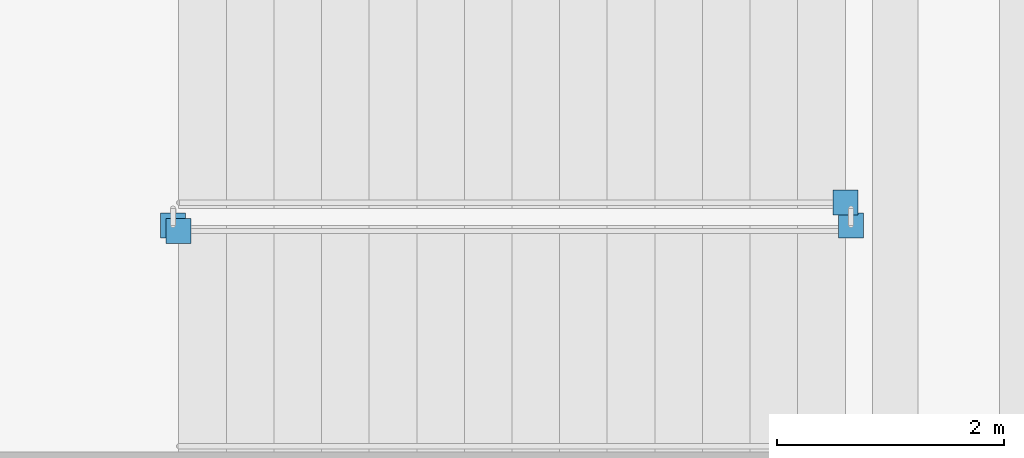
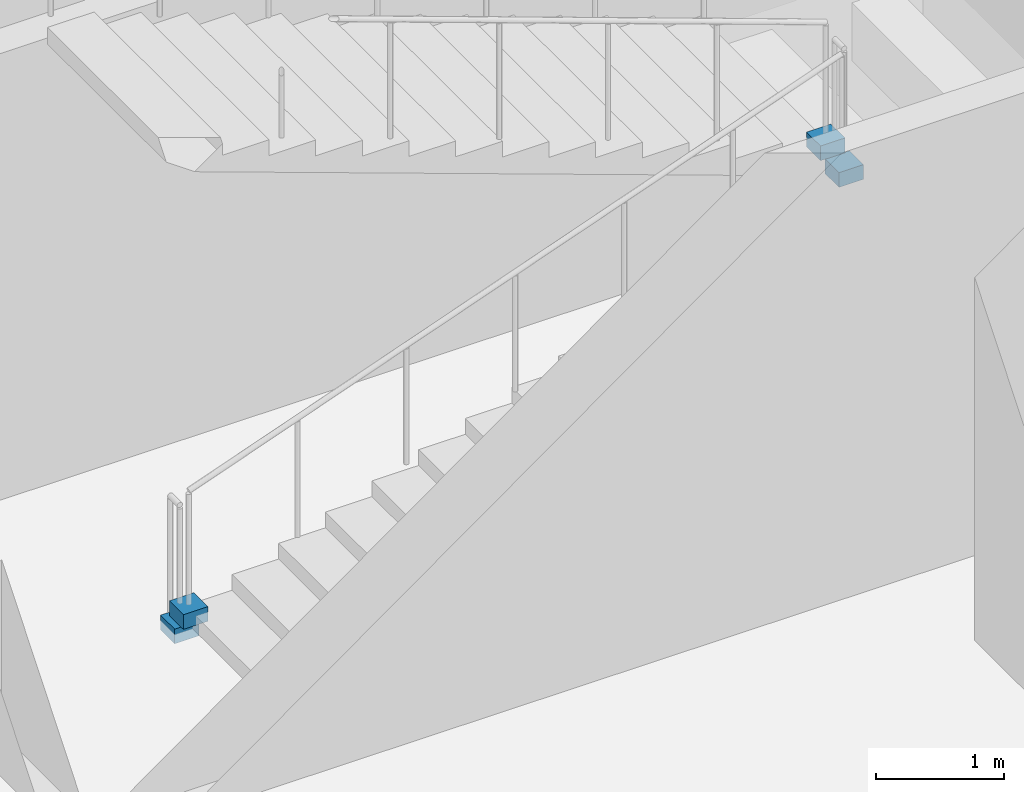
# One storey, part 65 of 76: 4 discrete accessories.
"""IFC4 building model written with IfcOpenShell, lengths in metres."""

import ifcopenshell
import ifcopenshell.guid

model = None  # the IFC model being written
_history = None  # IfcOwnerHistory: only IFC2X3 demands one
_inside = {}  # id of a spatial element -> (the spatial element, [elements in it])
_under = {}  # id of a project, library or spatial element -> (it, [spatial elements below it])
_declared = {}  # id of a project -> (the project, [libraries it declares])
_typed = {}  # id of a type object -> (the type object, [elements of that type])
_made_of = {}  # id of a material, layer set ... -> (it, [elements and type objects made of it])


def new_model(schema):
    """Start an empty IFC model of exactly this schema.

    Asked for "IFC4X3", IfcOpenShell would pick the latest addendum, in which some entities
    have other attributes; the version numbers below select the first issue.
    IFC2X3 requires an IfcOwnerHistory on every rooted entity: one is made here for all.
    """
    global model, _history
    if schema == "IFC4X3":
        model = ifcopenshell.file(schema_version=(4, 3, 0, 0))
    else:
        model = ifcopenshell.file(schema=schema)
    _inside.clear()
    _under.clear()
    _declared.clear()
    _typed.clear()
    _made_of.clear()
    _history = None
    if model.schema == "IFC2X3":
        org = make("IfcOrganization", Name="unknown")
        user = make(
            "IfcPersonAndOrganization",
            ThePerson=make("IfcPerson", FamilyName="unknown"),
            TheOrganization=org,
        )
        app = make(
            "IfcApplication",
            ApplicationDeveloper=org,
            Version="unknown",
            ApplicationFullName="unknown",
            ApplicationIdentifier="unknown",
        )
        _history = make(
            "IfcOwnerHistory",
            OwningUser=user,
            OwningApplication=app,
            ChangeAction="ADDED",
            CreationDate=0,
        )
    return model


def make(cls, **values):
    """One entity of the class cls with the attributes given. An attribute that is None is left unset."""
    return model.create_entity(
        cls, **{name: value for name, value in values.items() if value is not None}
    )


def rooted(cls, **values):
    """An entity with a GlobalId (a new one), such as an element, a storey or a relation."""
    return make(cls, GlobalId=ifcopenshell.guid.new(), OwnerHistory=_history, **values)


def si_unit(unit_type, name, prefix=None):
    """IfcSIUnit, for example si_unit("LENGTHUNIT", "METRE", prefix="MILLI")."""
    return make("IfcSIUnit", UnitType=unit_type, Prefix=prefix, Name=name)


def assignment(units):
    """IfcUnitAssignment: the units of a project."""
    return None if units is None else make("IfcUnitAssignment", Units=units)


def point(xyz):
    """IfcCartesianPoint."""
    return None if xyz is None else make("IfcCartesianPoint", Coordinates=xyz)


def direction(xyz):
    """IfcDirection."""
    return None if xyz is None else make("IfcDirection", DirectionRatios=xyz)


def frame(location, z_axis=None, x_axis=None):
    """IfcAxis2Placement3D, a coordinate frame: its origin and axes. An axis left out is left unset."""
    return make(
        "IfcAxis2Placement3D",
        Location=point(location),
        Axis=direction(z_axis),
        RefDirection=direction(x_axis),
    )


def frame_2d(location, x_axis=None):
    """IfcAxis2Placement2D, a coordinate frame in the plane: its origin and x axis."""
    return make(
        "IfcAxis2Placement2D", Location=point(location), RefDirection=direction(x_axis)
    )


def origin():
    """The frame at (0, 0, 0) with its axes left unset."""
    return frame((0.0, 0.0, 0.0))


def origin_2d():
    """The frame at (0, 0) in the plane with its x axis left unset."""
    return frame_2d((0.0, 0.0))


def place(relative_to, where):
    """IfcLocalPlacement: puts the frame where relative to a parent placement (None: the world)."""
    return make(
        "IfcLocalPlacement", PlacementRelTo=relative_to, RelativePlacement=where
    )


def context(
    kind, dimensions, precision=None, world=None, true_north=None, identifier=None
):
    """IfcGeometricRepresentationContext, for example the 3D "Model" context."""
    return make(
        "IfcGeometricRepresentationContext",
        ContextIdentifier=identifier,
        ContextType=kind,
        CoordinateSpaceDimension=dimensions,
        Precision=precision,
        WorldCoordinateSystem=world,
        TrueNorth=true_north,
    )


def subcontext(parent, identifier, kind, view, scale=None):
    """IfcGeometricRepresentationSubContext, for example "Body" below "Model"."""
    return make(
        "IfcGeometricRepresentationSubContext",
        ContextIdentifier=identifier,
        ContextType=kind,
        ParentContext=parent,
        TargetScale=scale,
        TargetView=view,
    )


def project(units=None, contexts=None):
    """IfcProject with its units and contexts."""
    return rooted(
        "IfcProject",
        Name="project",
        RepresentationContexts=contexts,
        UnitsInContext=assignment(units),
    )


def spatial(cls, under=None, at=None, **own):
    """A site, building, storey or space (cls), placed at a placement, below another one or the project."""
    s = rooted(cls, ObjectPlacement=at, **own)
    if under is not None:
        _under.setdefault(under.id(), (under, []))[1].append(s)
    return s


def profile(cls, at=None, kind="AREA", **sizes):
    """A parametric profile (cls). Its sizes go by their IFC names, for example OverallWidth=200.0."""
    return make(cls, ProfileType=kind, Position=at, **sizes)


def rectangle(**sizes):
    """IfcRectangleProfileDef."""
    return profile("IfcRectangleProfileDef", **sizes)


def extrude(swept, where, along, depth):
    """IfcExtrudedAreaSolid: the profile swept, set in the frame where, extruded along a direction by depth."""
    return make(
        "IfcExtrudedAreaSolid",
        SweptArea=swept,
        Position=where,
        ExtrudedDirection=direction(along),
        Depth=depth,
    )


def shape(context_of_items, identifier, shape_type, items):
    """IfcShapeRepresentation: the items that make up one representation, for example the "Body"."""
    return make(
        "IfcShapeRepresentation",
        ContextOfItems=context_of_items,
        RepresentationIdentifier=identifier,
        RepresentationType=shape_type,
        Items=items,
    )


def material(Name=None, Category=None):
    """IfcMaterial."""
    return make("IfcMaterial", Name=Name, Category=Category)


def made_of(thing, what):
    """Note that an element or type object is made of a material, layer set ...; save() writes the relation."""
    if what is not None:
        _made_of.setdefault(what.id(), (what, []))[1].append(thing)
    return thing


def type_object(cls, material=None, **own):
    """A type object (cls), such as IfcWallType, which elements share."""
    return made_of(rooted(cls, **own), material)


def element(
    cls,
    number,
    at=None,
    inside=None,
    cuts=None,
    type_object=None,
    material=None,
    context=None,
    identifier="Body",
    shape_type=None,
    held_by="IfcProductDefinitionShape",
    body=None,
    shapes=None,
    **own,
):
    """One element of the class cls, such as IfcWall. Its Tag is "e" and its number.

    at: its placement. inside: the storey or other place that contains it. cuts: it is an
    opening in that element (IfcRelVoidsElement). A single representation is given by context,
    identifier, shape_type and body (its items); several are given by shapes. held_by: the class
    of the entity that holds the representations. save() writes the other relations.
    """
    e = rooted(cls, Tag="e%d" % number, ObjectPlacement=at, **own)
    if body is not None:
        shapes = [shape(context, identifier, shape_type, body)]
    if shapes is not None:
        e.Representation = make(held_by, Representations=shapes)
    if inside is not None:
        _inside.setdefault(inside.id(), (inside, []))[1].append(e)
    if cuts is not None:
        rooted(
            "IfcRelVoidsElement", RelatingBuildingElement=cuts, RelatedOpeningElement=e
        )
    if type_object is not None:
        _typed.setdefault(type_object.id(), (type_object, []))[1].append(e)
    return made_of(e, material)


def aggregate(whole, parts):
    """IfcRelAggregates: a whole, such as a stair, and the parts it consists of."""
    return rooted("IfcRelAggregates", RelatingObject=whole, RelatedObjects=parts)


def save(model, path):
    """Write the relations noted so far, then the file.

    IfcRelAggregates (storeys below a building ...), IfcRelContainedInSpatialStructure (elements
    in a storey), IfcRelDefinesByType, IfcRelAssociatesMaterial and IfcRelDeclares: one each for
    every whole, place, type object, material and project.
    """
    for whole, parts in _under.values():
        aggregate(whole, parts)
    for where, things in _inside.values():
        rooted(
            "IfcRelContainedInSpatialStructure",
            RelatedElements=things,
            RelatingStructure=where,
        )
    for kind, things in _typed.values():
        rooted("IfcRelDefinesByType", RelatedObjects=things, RelatingType=kind)
    for what, things in _made_of.values():
        rooted("IfcRelAssociatesMaterial", RelatedObjects=things, RelatingMaterial=what)
    for by, libraries in _declared.values():
        rooted("IfcRelDeclares", RelatingContext=by, RelatedDefinitions=libraries)
    model.write(path)


model = new_model("IFC4")

# Units and contexts
model_context = context("Model", 3, precision=1e-05, world=origin(), true_north=direction((0.0, 1.0)))
body_context = subcontext(model_context, "Body", "Model", "MODEL_VIEW")
ifc_project = project(units=[si_unit("LENGTHUNIT", "METRE"), si_unit("AREAUNIT", "SQUARE_METRE"), si_unit("VOLUMEUNIT", "CUBIC_METRE"), si_unit("PLANEANGLEUNIT", "RADIAN"), si_unit("MASSUNIT", "GRAM", prefix="KILO")], contexts=[model_context])

# Site, building, storey
site_placement = place(None, origin())
site = spatial("IfcSite", under=ifc_project, at=site_placement, CompositionType="ELEMENT")
building_placement = place(site_placement, origin())
building = spatial("IfcBuilding", under=site, at=building_placement, Name="Varnakota Cinema and Media Centre", CompositionType="ELEMENT")
storey_placement = place(building_placement, origin())
storey = spatial("IfcBuildingStorey", under=building, at=storey_placement, Name="L00", CompositionType="ELEMENT", Elevation=0.0)

# Discrete accessories
ifc_material = material(Name="Structural steel Grade 350 (E350)", Category="steel")
discrete_accessory_type = type_object("IfcDiscreteAccessoryType", Name="ACC-BRACKET-SG", PredefinedType="BRACKET", material=ifc_material)
for number, where, z_axis, x_axis, name in (
    (1, (11.60009765625, 90.550048828125, 0.06005859375), (0.0, 0.0, 1.0), (1.0, 0.0, 0.0), "L00 stair guard base bracket ST-05-L00-G1"),
    (2, (17.530029296875, 90.60009765625, 2.16015625), (0.0, 0.0, 1.0), (1.0, 0.0, 0.0), "L00 stair guard base bracket ST-05-L00-G2"),
    (3, (17.47998046875, 90.800048828125, 2.31005859375), (0.0, 0.0, 1.0), (1.0, 0.0, 0.0), "L00 stair guard base bracket ST-05-L00-G3"),
    (4, (11.550048828125, 90.60009765625, -0.08984375), (0.0, 0.0, 1.0), (1.0, 0.0, 0.0), "L00 stair guard base bracket ST-05-L00-G4"),
):
    element("IfcDiscreteAccessory", number, at=place(storey_placement, frame(where, z_axis=z_axis, x_axis=x_axis)), inside=storey, type_object=discrete_accessory_type, Name=name, PredefinedType="BRACKET", context=body_context, shape_type="SweptSolid", body=[
        extrude(rectangle(XDim=0.219970703125, YDim=0.219970703125, at=origin_2d()), origin(), (0.0, 0.0, 1.0), 0.139892578125),
    ])

save(model, "model.ifc")
